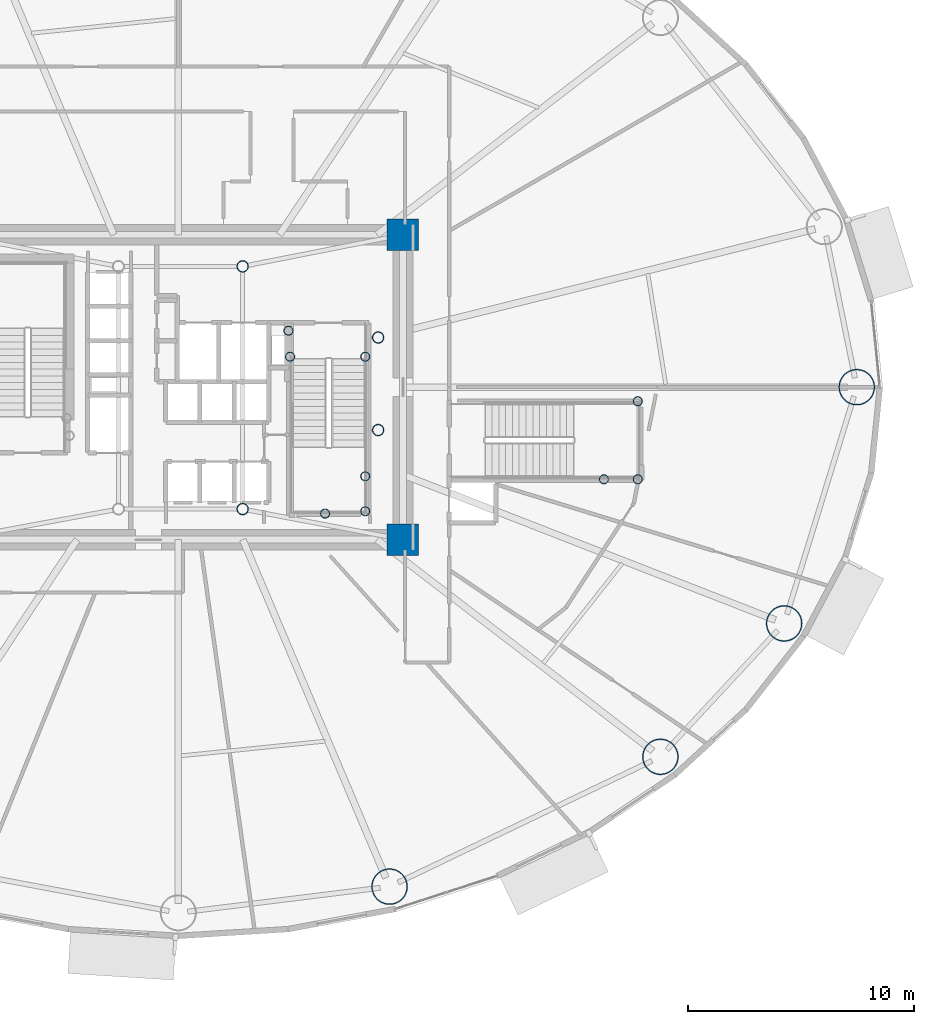
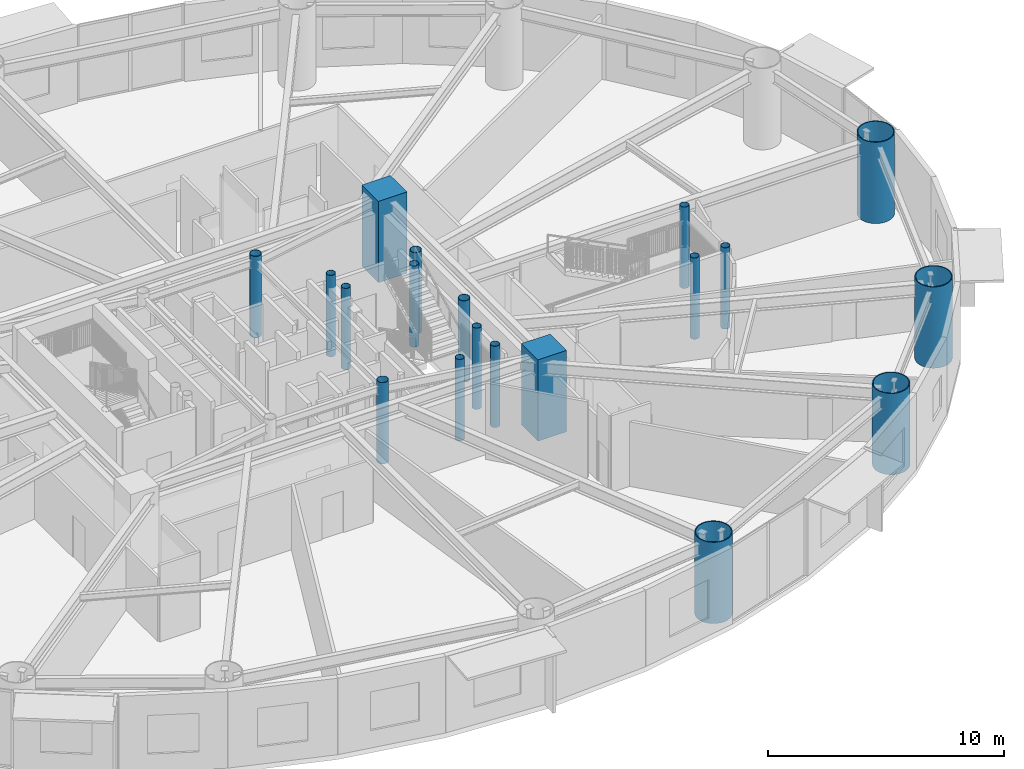
# One storey, part 2 of 29: 19 columns.
"""IFC4 building model written with IfcOpenShell, lengths in metres."""

from ifc_helpers import new_model, si_unit, direction, frame, origin, origin_2d, place, context, subcontext, project, spatial, rectangle, hollow_circle, extrude, material, material_profile, profile_set, type_object, element, save


model = new_model("IFC4")

# Units and contexts
model_context = context("Model", 3, precision=1e-05, world=origin(), true_north=direction((0.0, 1.0)))
body_context = subcontext(model_context, "Body", "Model", "MODEL_VIEW")
ifc_project = project(units=[si_unit("LENGTHUNIT", "METRE"), si_unit("AREAUNIT", "SQUARE_METRE"), si_unit("VOLUMEUNIT", "CUBIC_METRE"), si_unit("PLANEANGLEUNIT", "RADIAN"), si_unit("MASSUNIT", "GRAM", prefix="KILO")], contexts=[model_context])

# Site, building, storey
site_placement = place(None, origin())
site = spatial("IfcSite", under=ifc_project, at=site_placement, CompositionType="ELEMENT")
building_placement = place(site_placement, origin())
building = spatial("IfcBuilding", under=site, at=building_placement, Name="Linh Dai School and Residence Tower", CompositionType="ELEMENT")
storey_placement = place(building_placement, frame((0.0, 0.0, 45.0)))
storey = spatial("IfcBuildingStorey", under=building, at=storey_placement, Name="L10", CompositionType="ELEMENT", Elevation=45.0)

# Columns
ifc_material_1 = material(Name="Concrete B60 (C50/60)", Category="concrete")
ifc_material_profile_1 = material_profile(ifc_material_1, rectangle(XDim=1.39990234375, YDim=1.39990234375, at=origin_2d()), Name="RC 1400x1400")
ifc_profile_set_1 = profile_set([ifc_material_profile_1], Name="Concrete B60 (C50/60)")
column_type_1 = type_object("IfcColumnType", Name="COL-CC1", PredefinedType="COLUMN", material=ifc_profile_set_1)
for number, where, z_axis, x_axis, name in (
    (1, (45.949951171875, 20.25, 0.0), (0.0, 0.0, 1.0), (1.0, 0.0, 0.0), "L10 Core Corner Pier CC2"),
    (2, (45.949951171875, 33.75, 0.0), (0.0, 0.0, 1.0), (1.0, 0.0, 0.0), "L10 Core Corner Pier CC3"),
):
    element("IfcColumn", number, at=place(storey_placement, frame(where, z_axis=z_axis, x_axis=x_axis)), inside=storey, type_object=column_type_1, Name=name, PredefinedType="COLUMN", context=body_context, shape_type="SweptSolid", body=[
        extrude(rectangle(XDim=1.39990234375, YDim=1.39990234375, at=origin_2d()), origin(), (0.0, 0.0, 1.0), 4.199951171875),
    ])
ifc_material_2 = material(Name="Structural Steel S355JR", Category="steel")
ifc_material_profile_2 = material_profile(ifc_material_2, hollow_circle(Radius=0.203125, WallThickness=0.01611328125, at=origin_2d()), Name="CHS 406.4x16")
ifc_profile_set_2 = profile_set([ifc_material_profile_2], Name="Structural Steel S355JR")
column_type_2 = type_object("IfcColumnType", Name="COL-EC", PredefinedType="COLUMN", material=ifc_profile_set_2)
for number, where, z_axis, x_axis, name in (
    (3, (44.280029296875, 21.5, 0.0), (0.0, 0.0, 1.0), (1.0, 0.0, 0.0), "L10 Stair Shaft Landing Support Pier ST2SE"),
    (4, (44.280029296875, 23.050048828125, 0.0), (0.0, 0.0, 1.0), (1.0, 0.0, 0.0), "L10 Stair Shaft Landing Support Pier ST2NE"),
    (5, (42.5, 21.39990234375, 0.0), (0.0, 0.0, 1.0), (1.0, 0.0, 0.0), "L10 Stair Shaft Landing Support Pier ST2MS"),
    (6, (40.949951171875, 28.35009765625, 0.0), (0.0, 0.0, 1.0), (1.0, 0.0, 0.0), "L10 Stair Shaft Landing Support Pier ST2N1"),
    (7, (44.280029296875, 28.35009765625, 0.0), (0.0, 0.0, 1.0), (1.0, 0.0, 0.0), "L10 Stair Shaft Landing Support Pier ST2N2"),
    (8, (40.8798828125, 29.5, 0.0), (0.0, 0.0, 1.0), (1.0, 0.0, 0.0), "L10 Stair Shaft Landing Support Pier ST2N3"),
    (9, (56.35009765625, 26.3798828125, 0.0), (0.0, 0.0, 1.0), (1.0, 0.0, 0.0), "L10 Stair Shaft Landing Support Pier STS2NE"),
    (10, (56.35009765625, 22.919921875, 0.0), (0.0, 0.0, 1.0), (1.0, 0.0, 0.0), "L10 Stair Shaft Landing Support Pier STS2SE"),
    (11, (54.85009765625, 22.919921875, 0.0), (0.0, 0.0, 1.0), (1.0, 0.0, 0.0), "L10 Stair Shaft Landing Support Pier STS2MW"),
):
    element("IfcColumn", number, at=place(storey_placement, frame(where, z_axis=z_axis, x_axis=x_axis)), inside=storey, type_object=column_type_2, Name=name, PredefinedType="COLUMN", context=body_context, shape_type="SweptSolid", body=[
        extrude(hollow_circle(Radius=0.203125, WallThickness=0.01611328125, at=origin_2d()), origin(), (0.0, 0.0, 1.0), 4.199951171875),
    ])
ifc_material_profile_3 = material_profile(ifc_material_2, hollow_circle(Radius=0.800048828125, WallThickness=0.044921875, at=origin_2d()), Name="CHS 1600x45")
ifc_profile_set_3 = profile_set([ifc_material_profile_3], Name="Structural Steel S355JR")
column_type_3 = type_object("IfcColumnType", Name="COL-MC2", PredefinedType="COLUMN", material=ifc_profile_set_3)
for number, where, z_axis, x_axis, name in (
    (12, (66.050048828125, 27.0, 0.0), (0.0, 0.0, 1.0), (1.0, 0.0, 0.0), "L10 Perimeter CFT Mega-Column MC01"),
    (13, (45.357666015625, 4.880126953125, 0.0), (0.0, 0.0, 1.0), (1.0, 0.0, 0.0), "L10 Perimeter CFT Mega-Column MC14"),
    (14, (57.352783203125, 10.630859375, 0.0), (0.0, 0.0, 1.0), (1.0, 0.0, 0.0), "L10 Perimeter CFT Mega-Column MC15"),
    (15, (62.83544921875, 16.5361328125, 0.0), (0.0, 0.0, 1.0), (1.0, 0.0, 0.0), "L10 Perimeter CFT Mega-Column MC16"),
):
    element("IfcColumn", number, at=place(storey_placement, frame(where, z_axis=z_axis, x_axis=x_axis)), inside=storey, type_object=column_type_3, Name=name, PredefinedType="COLUMN", context=body_context, shape_type="SweptSolid", body=[
        extrude(hollow_circle(Radius=0.800048828125, WallThickness=0.044921875, at=origin_2d()), origin(), (0.0, 0.0, 1.0), 4.199951171875),
    ])
ifc_material_profile_4 = material_profile(ifc_material_2, hollow_circle(Radius=0.25390625, WallThickness=0.02001953125, at=origin_2d()), Name="CHS 508x20")
ifc_profile_set_4 = profile_set([ifc_material_profile_4], Name="Structural Steel S355JR")
column_type_4 = type_object("IfcColumnType", Name="COL-MCP", PredefinedType="COLUMN", material=ifc_profile_set_4)
for number, where, z_axis, x_axis, name in (
    (16, (38.85009765625, 21.60009765625, 0.0), (0.0, 0.0, 1.0), (1.0, 0.0, 0.0), "L10 Core Mast Support Pier MCP2"),
    (17, (38.85009765625, 32.35009765625, 0.0), (0.0, 0.0, 1.0), (1.0, 0.0, 0.0), "L10 Core Mast Support Pier MCP3"),
    (18, (44.85009765625, 25.10009765625, 0.0), (0.0, 0.0, 1.0), (1.0, 0.0, 0.0), "L10 Sky-Lounge Core Anchor Pier S"),
    (19, (44.85009765625, 29.199951171875, 0.0), (0.0, 0.0, 1.0), (1.0, 0.0, 0.0), "L10 Sky-Lounge Core Anchor Pier N"),
):
    element("IfcColumn", number, at=place(storey_placement, frame(where, z_axis=z_axis, x_axis=x_axis)), inside=storey, type_object=column_type_4, Name=name, PredefinedType="COLUMN", context=body_context, shape_type="SweptSolid", body=[
        extrude(hollow_circle(Radius=0.25390625, WallThickness=0.02001953125, at=origin_2d()), origin(), (0.0, 0.0, 1.0), 4.199951171875),
    ])

save(model, "model.ifc")
